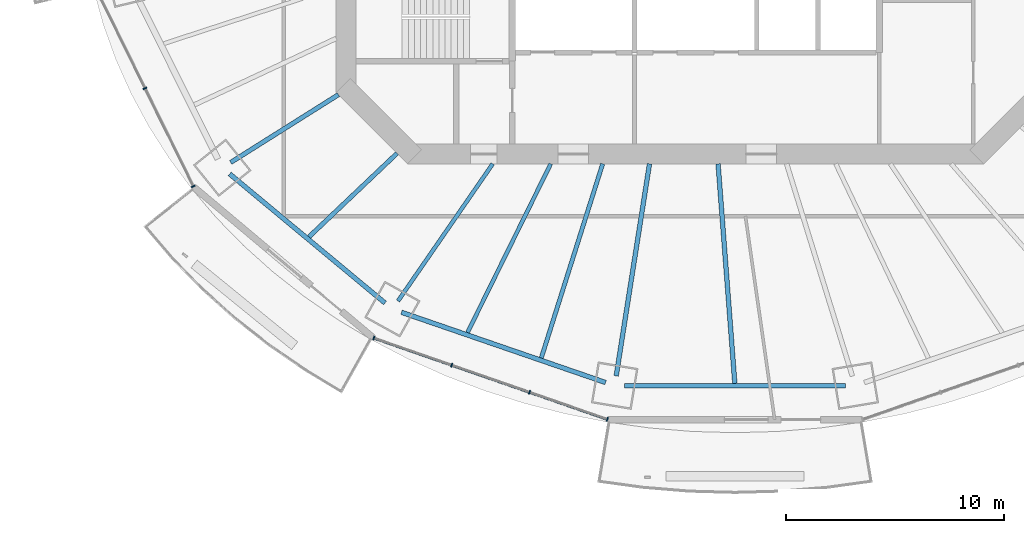
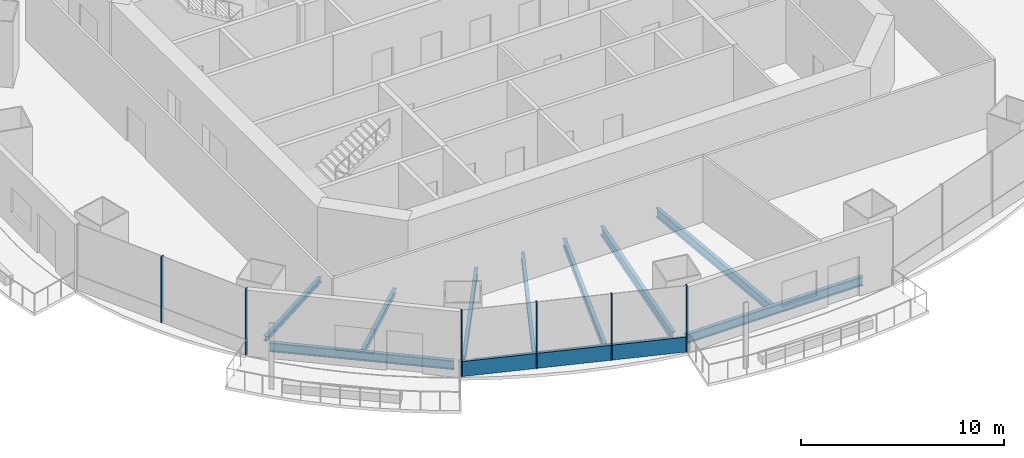
# One storey, part 2 of 19: 10 beams, 7 members, 2 elements without a shape of their own.
"""IFC4 building model written with IfcOpenShell, lengths in metres."""

from ifc_helpers import new_model, si_unit, direction, frame, origin, origin_2d, place, context, subcontext, project, spatial, rectangle, i_section, extrude, material, material_profile, profile_set, type_object, element, aggregate, save


model = new_model("IFC4")

# Units and contexts
model_context = context("Model", 3, precision=1e-05, world=origin(), true_north=direction((0.0, 1.0)))
body_context = subcontext(model_context, "Body", "Model", "MODEL_VIEW")
ifc_project = project(units=[si_unit("LENGTHUNIT", "METRE"), si_unit("AREAUNIT", "SQUARE_METRE"), si_unit("VOLUMEUNIT", "CUBIC_METRE"), si_unit("PLANEANGLEUNIT", "RADIAN"), si_unit("MASSUNIT", "GRAM", prefix="KILO")], contexts=[model_context])

# Site, building, storey
site_placement = place(None, origin())
site = spatial("IfcSite", under=ifc_project, at=site_placement, CompositionType="ELEMENT")
building_placement = place(site_placement, origin())
building = spatial("IfcBuilding", under=site, at=building_placement, Name="Marenthal Gate Tower", CompositionType="ELEMENT")
storey_placement = place(building_placement, frame((0.0, 0.0, 248.199951171875)))
storey = spatial("IfcBuildingStorey", under=building, at=storey_placement, Name="L55", CompositionType="ELEMENT", Elevation=248.199951171875)

# Curtain wall, members
ifc_material_1 = material(Name="Aluminium and glass", Category="aluminium")
curtain_wall_type = type_object("IfcCurtainWallType", Name="Curtain wall typical mid", PredefinedType="NOTDEFINED", material=ifc_material_1)
curtain_wall_1_placement = place(storey_placement, origin())
curtain_wall_1 = element("IfcCurtainWall", 1, at=curtain_wall_1_placement, inside=storey, type_object=curtain_wall_type, Name="Curtain wall L55 bay 9", PredefinedType="NOTDEFINED")
ifc_material_2 = material(Name="Aluminium", Category="aluminium")
ifc_material_profile_1 = material_profile(ifc_material_2, rectangle(XDim=0.179931640625, YDim=0.06005859375, at=origin_2d()), Name="60x180 aluminium mullion")
ifc_profile_set_1 = profile_set([ifc_material_profile_1], Name="Aluminium")
member_type_1 = type_object("IfcMemberType", Name="Mullion 60x180 typical mid", PredefinedType="MULLION", material=ifc_profile_set_1)
member_1_placement = place(storey_placement, frame((-25.205322265625, -9.99609375, 0.0), z_axis=(0.0, 0.0, 1.0), x_axis=(0.896882319585, 0.44226926732, 0.0)))
member_1 = element("IfcMember", 2, at=member_1_placement, type_object=member_type_1, Name="Mullion L55 bay 9.2", PredefinedType="MULLION", context=body_context, shape_type="SweptSolid", body=[
    extrude(rectangle(XDim=0.179931640625, YDim=0.06005859375, at=origin_2d()), origin(), (0.0, 0.0, 1.0), 3.969970703125),
])
member_2_placement = place(storey_placement, frame((-22.99365234375, -14.481201171875, 0.0), z_axis=(0.0, 0.0, 1.0), x_axis=(0.896882319585, 0.44226926732, 0.0)))
member_2 = element("IfcMember", 3, at=member_2_placement, type_object=member_type_1, Name="Mullion L55 bay 9.3", PredefinedType="MULLION", context=body_context, shape_type="SweptSolid", body=[
    extrude(rectangle(XDim=0.179931640625, YDim=0.06005859375, at=origin_2d()), origin(), (0.0, 0.0, 1.0), 3.969970703125),
])
aggregate(curtain_wall_1, [member_1, member_2])

curtain_wall_2_placement = place(storey_placement, origin())
curtain_wall_2 = element("IfcCurtainWall", 4, at=curtain_wall_2_placement, inside=storey, type_object=curtain_wall_type, Name="Curtain wall L55 bay 11", PredefinedType="NOTDEFINED")
member_3_placement = place(storey_placement, frame((-14.729248046875, -21.4248046875, 0.0), z_axis=(0.0, 0.0, 1.0), x_axis=(0.328612003593, 0.944465007872, 0.0)))
member_3 = element("IfcMember", 5, at=member_3_placement, type_object=member_type_1, Name="Mullion L55 bay 11.1", PredefinedType="MULLION", context=body_context, shape_type="SweptSolid", body=[
    extrude(rectangle(XDim=0.179931640625, YDim=0.06005859375, at=origin_2d()), origin(), (0.0, 0.0, 1.0), 3.969970703125),
])
member_4_placement = place(storey_placement, frame((-11.167236328125, -22.664306640625, 0.0), z_axis=(0.0, 0.0, 1.0), x_axis=(0.328612003593, 0.944465007872, 0.0)))
member_4 = element("IfcMember", 6, at=member_4_placement, type_object=member_type_1, Name="Mullion L55 bay 11.2", PredefinedType="MULLION", context=body_context, shape_type="SweptSolid", body=[
    extrude(rectangle(XDim=0.179931640625, YDim=0.06005859375, at=origin_2d()), origin(), (0.0, 0.0, 1.0), 3.969970703125),
])
member_5_placement = place(storey_placement, frame((-7.60498046875, -23.90380859375, 0.0), z_axis=(0.0, 0.0, 1.0), x_axis=(0.328612003593, 0.944465007872, 0.0)))
member_5 = element("IfcMember", 7, at=member_5_placement, type_object=member_type_1, Name="Mullion L55 bay 11.3", PredefinedType="MULLION", context=body_context, shape_type="SweptSolid", body=[
    extrude(rectangle(XDim=0.179931640625, YDim=0.06005859375, at=origin_2d()), origin(), (0.0, 0.0, 1.0), 3.969970703125),
])
member_6_placement = place(storey_placement, frame((-4.042724609375, -25.14306640625, 0.0), z_axis=(0.0, 0.0, 1.0), x_axis=(0.328612003593, 0.944465007872, 0.0)))
member_6 = element("IfcMember", 8, at=member_6_placement, type_object=member_type_1, Name="Mullion L55 bay 11.4", PredefinedType="MULLION", context=body_context, shape_type="SweptSolid", body=[
    extrude(rectangle(XDim=0.179931640625, YDim=0.06005859375, at=origin_2d()), origin(), (0.0, 0.0, 1.0), 3.969970703125),
])
ifc_material_3 = material(Name="Aluminium", Category="aluminium")
ifc_material_profile_2 = material_profile(ifc_material_3, rectangle(XDim=0.1201171875, YDim=0.89990234375, at=origin_2d()), Name="120x900 aluminium transom")
ifc_profile_set_2 = profile_set([ifc_material_profile_2], Name="Aluminium")
member_type_2 = type_object("IfcMemberType", Name="Transom 120x900 typical mid", PredefinedType="USERDEFINED", material=ifc_profile_set_2)
member_7_placement = place(storey_placement, frame((-14.700927734375, -21.434814453125, 0.449951171875), z_axis=(0.944465479989, -0.328610646678, 0.0), x_axis=(0.328610646678, 0.944465479989, 0.0)))
member_7 = element("IfcMember", 9, at=member_7_placement, type_object=member_type_2, Name="Transom L55 bay 11", ObjectType="TRANSOM", PredefinedType="USERDEFINED", context=body_context, shape_type="SweptSolid", body=[
    extrude(rectangle(XDim=0.1201171875, YDim=0.89990234375, at=origin_2d()), origin(), (0.0, 0.0, 1.0), 11.2548828125),
])
aggregate(curtain_wall_2, [member_3, member_4, member_5, member_6, member_7])

# Beams
ifc_material_4 = material(Name="Steel S355", Category="steel")
ifc_material_profile_3 = material_profile(ifc_material_4, i_section(OverallWidth=0.202880859375, OverallDepth=0.302001953125, WebThickness=0.007568359375, FlangeThickness=0.01318359375, FilletRadius=0.0126953125, at=origin_2d()), Name="W310X60")
ifc_profile_set_3 = profile_set([ifc_material_profile_3], Name="Steel S355")
beam_type_1 = type_object("IfcBeamType", Name="W310X60 beam", PredefinedType="BEAM", material=ifc_profile_set_3)
beam_1_placement = place(storey_placement, frame((-17.69580078125, -16.792236328125, -0.3310546875), z_axis=(0.725392221284, 0.688335764943, 0.0), x_axis=(-0.688335764943, 0.725392221284, 0.0)))
element("IfcBeam", 10, at=beam_1_placement, inside=storey, type_object=beam_type_1, Name="BM-L55-31", PredefinedType="BEAM", context=body_context, shape_type="SweptSolid", body=[
    extrude(i_section(OverallWidth=0.202880859375, OverallDepth=0.302001953125, WebThickness=0.007568359375, FlangeThickness=0.01318359375, FilletRadius=0.0126953125, at=origin_2d()), origin(), (0.0, 0.0, 1.0), 5.553955078125),
])
ifc_material_5 = material(Name="Steel S355", Category="steel")
ifc_material_profile_4 = material_profile(ifc_material_5, i_section(OverallWidth=0.205078125, OverallDepth=0.31005859375, WebThickness=0.009521484375, FlangeThickness=0.016357421875, FilletRadius=0.0126953125, at=origin_2d()), Name="W310X74")
ifc_profile_set_4 = profile_set([ifc_material_profile_4], Name="Steel S355")
beam_type_2 = type_object("IfcBeamType", Name="W310X74 beam", PredefinedType="BEAM", material=ifc_profile_set_4)
beam_2_placement = place(storey_placement, frame((-21.2802734375, -13.38720703125, -0.3349609375), z_axis=(0.846430888561, 0.532498592383, 0.0), x_axis=(-0.532498592383, 0.846430888561, 0.0)))
element("IfcBeam", 11, at=beam_2_placement, inside=storey, type_object=beam_type_2, Name="BM-L55-10", PredefinedType="BEAM", context=body_context, shape_type="SweptSolid", body=[
    extrude(i_section(OverallWidth=0.205078125, OverallDepth=0.31005859375, WebThickness=0.009521484375, FlangeThickness=0.016357421875, FilletRadius=0.0126953125, at=origin_2d()), origin(), (0.0, 0.0, 1.0), 5.823974609375),
])
ifc_material_6 = material(Name="Steel S355", Category="steel")
ifc_material_profile_5 = material_profile(ifc_material_6, i_section(OverallWidth=0.180908203125, OverallDepth=0.4169921875, WebThickness=0.010986328125, FlangeThickness=0.018310546875, FilletRadius=0.01025390625, at=origin_2d()), Name="W410X85")
ifc_profile_set_5 = profile_set([ifc_material_profile_5], Name="Steel S355")
beam_type_3 = type_object("IfcBeamType", Name="W410X85 beam", PredefinedType="BEAM", material=ifc_profile_set_5)
beam_3_placement = place(storey_placement, frame((-13.62158203125, -19.727294921875, -0.388427734375), z_axis=(0.568201036983, 0.822889774862, 0.0), x_axis=(-0.822889774862, 0.568201036983, 0.0)))
element("IfcBeam", 12, at=beam_3_placement, inside=storey, type_object=beam_type_3, Name="BM-L55-11", PredefinedType="BEAM", context=body_context, shape_type="SweptSolid", body=[
    extrude(i_section(OverallWidth=0.180908203125, OverallDepth=0.4169921875, WebThickness=0.010986328125, FlangeThickness=0.018310546875, FilletRadius=0.01025390625, at=origin_2d()), origin(), (0.0, 0.0, 1.0), 7.62841796875),
])
beam_4_placement = place(storey_placement, frame((-10.44140625, -21.1728515625, -0.388427734375), z_axis=(0.442296233043, 0.896869021784, 0.0), x_axis=(-0.896869021784, 0.442296233043, 0.0)))
element("IfcBeam", 13, at=beam_4_placement, inside=storey, type_object=beam_type_3, Name="BM-L55-32", PredefinedType="BEAM", context=body_context, shape_type="SweptSolid", body=[
    extrude(i_section(OverallWidth=0.180908203125, OverallDepth=0.4169921875, WebThickness=0.010986328125, FlangeThickness=0.018310546875, FilletRadius=0.01025390625, at=origin_2d()), origin(), (0.0, 0.0, 1.0), 8.61083984375),
])
ifc_material_7 = material(Name="Steel S355", Category="steel")
ifc_material_profile_6 = material_profile(ifc_material_7, i_section(OverallWidth=0.193115234375, OverallDepth=0.467041015625, WebThickness=0.011474609375, FlangeThickness=0.01904296875, FilletRadius=0.010009765625, at=origin_2d()), Name="W460X97")
ifc_profile_set_6 = profile_set([ifc_material_profile_6], Name="Steel S355")
beam_type_4 = type_object("IfcBeamType", Name="W460X97 beam", PredefinedType="BEAM", material=ifc_profile_set_6)
beam_5_placement = place(storey_placement, frame((-7.065185546875, -22.3349609375, -0.413330078125), z_axis=(0.301595247425, 0.953436052775, 0.0), x_axis=(-0.953436052775, 0.301595247425, 0.0)))
element("IfcBeam", 14, at=beam_5_placement, inside=storey, type_object=beam_type_4, Name="BM-L55-33", PredefinedType="BEAM", context=body_context, shape_type="SweptSolid", body=[
    extrude(i_section(OverallWidth=0.193115234375, OverallDepth=0.467041015625, WebThickness=0.011474609375, FlangeThickness=0.01904296875, FilletRadius=0.010009765625, at=origin_2d()), origin(), (0.0, 0.0, 1.0), 9.31884765625),
])
ifc_material_8 = material(Name="Steel S355", Category="steel")
ifc_material_profile_7 = material_profile(ifc_material_8, i_section(OverallWidth=0.2099609375, OverallDepth=0.535888671875, WebThickness=0.010986328125, FlangeThickness=0.017333984375, FilletRadius=0.0126953125, at=origin_2d()), Name="W530X101")
ifc_profile_set_7 = profile_set([ifc_material_profile_7], Name="Steel S355")
beam_type_5 = type_object("IfcBeamType", Name="W530X101 beam", PredefinedType="BEAM", material=ifc_profile_set_7)
beam_6_placement = place(storey_placement, frame((-3.63623046875, -23.15869140625, -0.447998046875), z_axis=(0.15511419116, 0.987896547064, 0.0), x_axis=(-0.987896547064, 0.15511419116, 0.0)))
element("IfcBeam", 15, at=beam_6_placement, inside=storey, type_object=beam_type_5, Name="BM-L55-12", PredefinedType="BEAM", context=body_context, shape_type="SweptSolid", body=[
    extrude(i_section(OverallWidth=0.2099609375, OverallDepth=0.535888671875, WebThickness=0.010986328125, FlangeThickness=0.017333984375, FilletRadius=0.0126953125, at=origin_2d()), origin(), (0.0, 0.0, 1.0), 9.82763671875),
])
beam_7_placement = place(storey_placement, frame((1.7919921875, -23.497314453125, -0.447998046875), z_axis=(-0.076053569959, 0.997103733067, 0.0), x_axis=(-0.997103733067, -0.076053569959, 0.0)))
element("IfcBeam", 16, at=beam_7_placement, inside=storey, type_object=beam_type_5, Name="BM-L55-34", PredefinedType="BEAM", context=body_context, shape_type="SweptSolid", body=[
    extrude(i_section(OverallWidth=0.2099609375, OverallDepth=0.535888671875, WebThickness=0.010986328125, FlangeThickness=0.017333984375, FilletRadius=0.0126953125, at=origin_2d()), origin(), (0.0, 0.0, 1.0), 10.07666015625),
])
ifc_material_9 = material(Name="Steel S355", Category="steel")
ifc_material_profile_8 = material_profile(ifc_material_9, i_section(OverallWidth=0.2119140625, OverallDepth=0.5439453125, WebThickness=0.01318359375, FlangeThickness=0.021240234375, FilletRadius=0.0126953125, at=origin_2d()), Name="W530X123")
ifc_profile_set_8 = profile_set([ifc_material_profile_8], Name="Steel S355")
beam_type_6 = type_object("IfcBeamType", Name="W530X123 beam", PredefinedType="BEAM", material=ifc_profile_set_8)
beam_8_placement = place(storey_placement, frame((-21.3251953125, -13.9140625, -0.451904296875), z_axis=(0.769104243953, -0.639123354239, 0.0), x_axis=(0.639123354239, 0.769104243953, 0.0)))
element("IfcBeam", 17, at=beam_8_placement, inside=storey, type_object=beam_type_6, Name="BM-L55-50", PredefinedType="BEAM", context=body_context, shape_type="SweptSolid", body=[
    extrude(i_section(OverallWidth=0.2119140625, OverallDepth=0.5439453125, WebThickness=0.01318359375, FlangeThickness=0.021240234375, FilletRadius=0.0126953125, at=origin_2d()), origin(), (0.0, 0.0, 1.0), 9.2392578125),
])
beam_9_placement = place(storey_placement, frame((-13.46435546875, -20.244384765625, -0.451904296875), z_axis=(0.94555241885, -0.325469849919, 0.0), x_axis=(0.325469849919, 0.94555241885, 0.0)))
element("IfcBeam", 18, at=beam_9_placement, inside=storey, type_object=beam_type_6, Name="BM-L55-51", PredefinedType="BEAM", context=body_context, shape_type="SweptSolid", body=[
    extrude(i_section(OverallWidth=0.2119140625, OverallDepth=0.5439453125, WebThickness=0.01318359375, FlangeThickness=0.021240234375, FilletRadius=0.0126953125, at=origin_2d()), origin(), (0.0, 0.0, 1.0), 9.882080078125),
])
beam_10_placement = place(storey_placement, frame((-3.268310546875, -23.603271484375, -0.451904296875), z_axis=(1.0, 0.0, 0.0), x_axis=(0.0, 1.0, 0.0)))
element("IfcBeam", 19, at=beam_10_placement, inside=storey, type_object=beam_type_6, Name="BM-L55-52", PredefinedType="BEAM", context=body_context, shape_type="SweptSolid", body=[
    extrude(i_section(OverallWidth=0.2119140625, OverallDepth=0.5439453125, WebThickness=0.01318359375, FlangeThickness=0.021240234375, FilletRadius=0.0126953125, at=origin_2d()), origin(), (0.0, 0.0, 1.0), 10.13671875),
])

save(model, "model.ifc")
